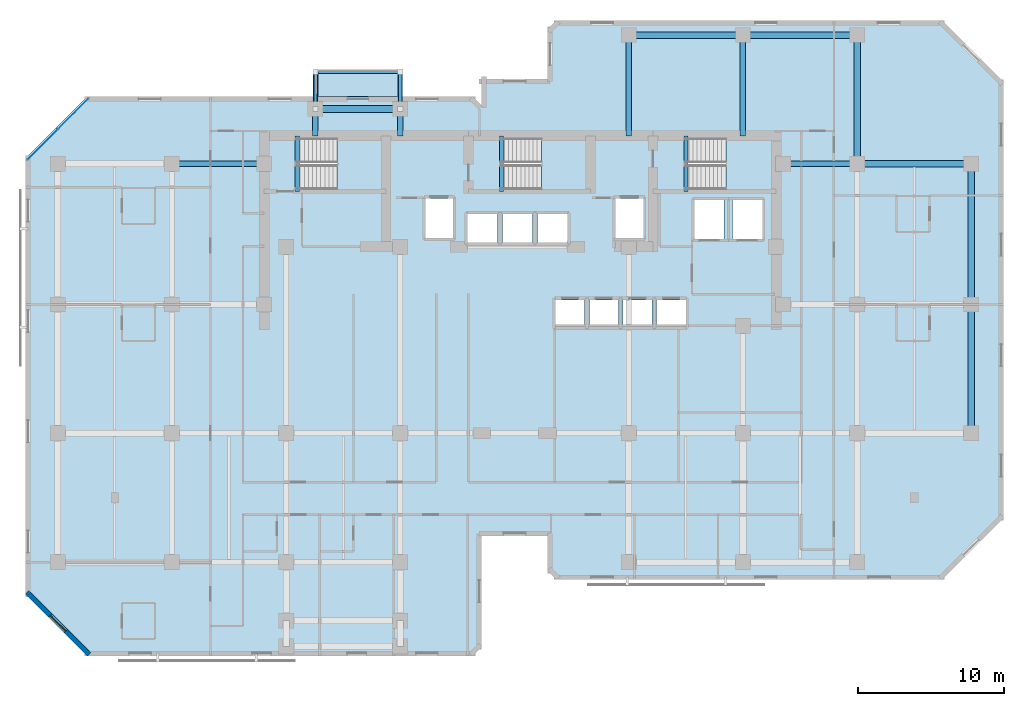
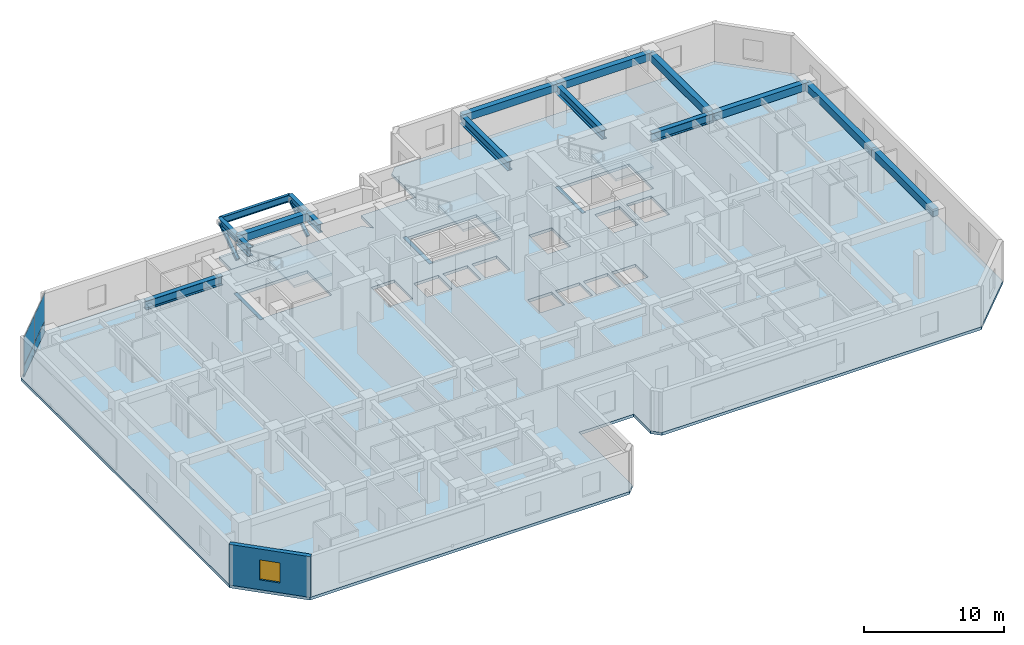
# One storey, part 3 of 10: 19 beams, 5 slabs, 4 plates, 2 members, 1 wall, 1 window, 1 opening, 4 elements without a shape of their own.
"""IFC4 building model written with IfcOpenShell, lengths in metres."""

from ifc_helpers import new_model, si_unit, direction, frame, frame_2d, origin, origin_2d, place, context, subcontext, project, spatial, polyline, rectangle, hollow_rectangle, i_section, outline, extrude, material, layer, layer_set, material_profile, profile_set, type_object, element, fill, aggregate, save


model = new_model("IFC4")

# Units and contexts
model_context = context("Model", 3, precision=1e-05, world=origin(), true_north=direction((0.0, 1.0)))
body_context = subcontext(model_context, "Body", "Model", "MODEL_VIEW")
ifc_project = project(units=[si_unit("LENGTHUNIT", "METRE"), si_unit("AREAUNIT", "SQUARE_METRE"), si_unit("VOLUMEUNIT", "CUBIC_METRE"), si_unit("PLANEANGLEUNIT", "RADIAN"), si_unit("MASSUNIT", "GRAM", prefix="KILO")], contexts=[model_context])

# Site, building, storey
site_placement = place(None, origin())
site = spatial("IfcSite", under=ifc_project, at=site_placement, CompositionType="ELEMENT")
building_placement = place(site_placement, origin())
building = spatial("IfcBuilding", under=site, at=building_placement, Name="Kestravale Grand Hotel", CompositionType="ELEMENT")
storey_placement = place(building_placement, frame((0.0, 0.0, 142.199951171875)))
storey = spatial("IfcBuildingStorey", under=building, at=storey_placement, Name="L35", CompositionType="ELEMENT", Elevation=142.199951171875)

# Beams
ifc_material_1 = material(Name="Concrete f'c 45 MPa", Category="concrete")
ifc_material_profile_1 = material_profile(ifc_material_1, rectangle(XDim=0.300048828125, YDim=0.39990234375, at=origin_2d()))
ifc_profile_set_1 = profile_set([ifc_material_profile_1], Name="Concrete f'c 45 MPa")
beam_type_1 = type_object("IfcBeamType", Name="B-FLR-LNT400", PredefinedType="LINTEL", material=ifc_profile_set_1)
for number, where, z_axis, x_axis, name in (
    (1, (24.159912109375, 36.52001953125, -0.199951171875), (0.0, 1.0, 0.0), (-1.0, 0.0, 0.0), "L35 ST1 flight bottom header beam"),
    (2, (38.110107421875, 36.52001953125, -0.199951171875), (0.0, 1.0, 0.0), (-1.0, 0.0, 0.0), "L35 ST2 flight bottom header beam"),
    (3, (50.7099609375, 36.52001953125, -0.199951171875), (0.0, 1.0, 0.0), (-1.0, 0.0, 0.0), "L35 ST3 flight bottom header beam"),
):
    element("IfcBeam", number, at=place(storey_placement, frame(where, z_axis=z_axis, x_axis=x_axis)), inside=storey, type_object=beam_type_1, Name=name, PredefinedType="LINTEL", context=body_context, shape_type="SweptSolid", body=[
        extrude(rectangle(XDim=0.300048828125, YDim=0.39990234375, at=origin_2d()), origin(), (0.0, 0.0, 1.0), 3.800048828125),
    ])
ifc_material_2 = material(Name="Concrete f'c 45 MPa", Category="concrete")
ifc_material_profile_2 = material_profile(ifc_material_2, rectangle(XDim=0.449951171875, YDim=0.64990234375, at=origin_2d()))
ifc_profile_set_2 = profile_set([ifc_material_profile_2], Name="Concrete f'c 45 MPa")
beam_type_2 = type_object("IfcBeamType", Name="B-FLR-RC650", PredefinedType="SPANDREL", material=ifc_profile_set_2)
for number, where, z_axis, x_axis, name in (
    (4, (62.39990234375, 38.39990234375, 3.22509765625), (1.0, 0.0, 0.0), (0.0, 1.0, 0.0), "L35 spandrel F:10-11"),
    (5, (46.800048828125, 47.199951171875, 3.22509765625), (1.0, 0.0, 0.0), (0.0, 1.0, 0.0), "L35 spandrel G:8-9"),
):
    element("IfcBeam", number, at=place(storey_placement, frame(where, z_axis=z_axis, x_axis=x_axis)), inside=storey, type_object=beam_type_2, Name=name, PredefinedType="SPANDREL", context=body_context, shape_type="SweptSolid", body=[
        extrude(rectangle(XDim=0.449951171875, YDim=0.64990234375, at=origin_2d()), origin(), (0.0, 0.0, 1.0), 7.800048828125),
    ])
beam_1_placement = place(storey_placement, frame((54.60009765625, 47.199951171875, 3.22509765625), z_axis=(1.0, 0.0, 0.0), x_axis=(0.0, 1.0, 0.0)))
element("IfcBeam", 6, at=beam_1_placement, inside=storey, type_object=beam_type_2, Name="L35 spandrel G:9-10", PredefinedType="SPANDREL", context=body_context, shape_type="SweptSolid", body=[
    extrude(rectangle(XDim=0.449951171875, YDim=0.64990234375, at=origin_2d()), origin(), (0.0, 0.0, 1.0), 7.7998046875),
])
beam_2_placement = place(storey_placement, frame((25.39990234375, 42.14990234375, 3.22509765625), z_axis=(1.0, 0.0, 0.0), x_axis=(0.0, 1.0, 0.0)))
element("IfcBeam", 7, at=beam_2_placement, inside=storey, type_object=beam_type_2, Name="L35 perimeter tie spandrel FN:4-5", PredefinedType="SPANDREL", context=body_context, shape_type="SweptSolid", body=[
    extrude(rectangle(XDim=0.449951171875, YDim=0.64990234375, at=origin_2d()), origin(), (0.0, 0.0, 1.0), 5.800048828125),
])
for number, where, z_axis, x_axis, name in (
    (8, (62.39990234375, 38.39990234375, 3.22509765625), (0.0, 1.0, 0.0), (-1.0, 0.0, 0.0), "L35 spandrel 10:F-G"),
    (9, (70.199951171875, 20.0, 3.22509765625), (0.0, 1.0, 0.0), (-1.0, 0.0, 0.0), "L35 spandrel 11:D-E"),
):
    element("IfcBeam", number, at=place(storey_placement, frame(where, z_axis=z_axis, x_axis=x_axis)), inside=storey, type_object=beam_type_2, Name=name, PredefinedType="SPANDREL", context=body_context, shape_type="SweptSolid", body=[
        extrude(rectangle(XDim=0.449951171875, YDim=0.64990234375, at=origin_2d()), origin(), (0.0, 0.0, 1.0), 8.800048828125),
    ])
beam_3_placement = place(storey_placement, frame((70.199951171875, 28.800048828125, 3.22509765625), z_axis=(0.0, 1.0, 0.0), x_axis=(-1.0, 0.0, 0.0)))
element("IfcBeam", 10, at=beam_3_placement, inside=storey, type_object=beam_type_2, Name="L35 spandrel 11:E-F", PredefinedType="SPANDREL", context=body_context, shape_type="SweptSolid", body=[
    extrude(rectangle(XDim=0.449951171875, YDim=0.64990234375, at=origin_2d()), origin(), (0.0, 0.0, 1.0), 9.599853515625),
])
ifc_material_3 = material(Name="Steel ASTM A992 Grade 50", Category="steel")
ifc_material_profile_3 = material_profile(ifc_material_3, i_section(OverallWidth=0.324951171875, OverallDepth=0.612060546875, WebThickness=0.0126953125, FlangeThickness=0.01904296875, FilletRadius=0.018798828125, at=origin_2d()))
ifc_profile_set_3 = profile_set([ifc_material_profile_3], Name="Steel ASTM A992 Grade 50")
beam_type_3 = type_object("IfcBeamType", Name="B-FLR-W24A", PredefinedType="SPANDREL", material=ifc_profile_set_3)
for number, where, z_axis, x_axis, name in (
    (11, (25.39990234375, 42.14990234375, 3.22412109375), (0.0, 1.0, 0.0), (-1.0, 0.0, 0.0), "L36 terrace cantilever beam 1"),
    (12, (31.199951171875, 42.14990234375, 3.22412109375), (0.0, 1.0, 0.0), (-1.0, 0.0, 0.0), "L36 terrace cantilever beam 2"),
):
    element("IfcBeam", number, at=place(storey_placement, frame(where, z_axis=z_axis, x_axis=x_axis)), inside=storey, type_object=beam_type_3, Name=name, PredefinedType="SPANDREL", context=body_context, shape_type="SweptSolid", body=[
        extrude(i_section(OverallWidth=0.324951171875, OverallDepth=0.612060546875, WebThickness=0.0126953125, FlangeThickness=0.01904296875, FilletRadius=0.018798828125, at=origin_2d()), origin(), (0.0, 0.0, 1.0), 2.550048828125),
    ])
ifc_material_4 = material(Name="Steel ASTM A992 Grade 50", Category="steel")
ifc_material_profile_4 = material_profile(ifc_material_4, i_section(OverallWidth=0.22900390625, OverallDepth=0.612060546875, WebThickness=0.011962890625, FlangeThickness=0.01953125, FilletRadius=0.019287109375, at=origin_2d()))
ifc_profile_set_4 = profile_set([ifc_material_profile_4], Name="Steel ASTM A992 Grade 50")
beam_type_4 = type_object("IfcBeamType", Name="B-FLR-W24B", PredefinedType="SPANDREL", material=ifc_profile_set_4)
beam_4_placement = place(storey_placement, frame((25.39990234375, 44.699951171875, 3.22412109375), z_axis=(1.0, 0.0, 0.0), x_axis=(0.0, 1.0, 0.0)))
element("IfcBeam", 13, at=beam_4_placement, inside=storey, type_object=beam_type_4, Name="L36 terrace edge spandrel", PredefinedType="SPANDREL", context=body_context, shape_type="SweptSolid", body=[
    extrude(i_section(OverallWidth=0.22900390625, OverallDepth=0.612060546875, WebThickness=0.011962890625, FlangeThickness=0.01953125, FilletRadius=0.019287109375, at=origin_2d()), origin(), (0.0, 0.0, 1.0), 5.800048828125),
])
ifc_material_5 = material(Name="Steel ASTM A992 Grade 50", Category="steel")
ifc_material_profile_5 = material_profile(ifc_material_5, i_section(OverallWidth=0.381103515625, OverallDepth=0.77197265625, WebThickness=0.0166015625, FlangeThickness=0.027099609375, FilletRadius=0.023681640625, at=origin_2d()))
ifc_profile_set_5 = profile_set([ifc_material_profile_5], Name="Steel ASTM A992 Grade 50")
beam_type_5 = type_object("IfcBeamType", Name="B-GRD-W30", PredefinedType="BEAM", material=ifc_profile_set_5)
beam_5_placement = place(storey_placement, frame((15.60009765625, 38.39990234375, 3.1640625), z_axis=(1.0, 0.0, 0.0), x_axis=(0.0, 1.0, 0.0)))
element("IfcBeam", 14, at=beam_5_placement, inside=storey, type_object=beam_type_5, Name="L35 girder F:3-CW", PredefinedType="BEAM", context=body_context, shape_type="SweptSolid", body=[
    extrude(i_section(OverallWidth=0.381103515625, OverallDepth=0.77197265625, WebThickness=0.0166015625, FlangeThickness=0.027099609375, FilletRadius=0.023681640625, at=origin_2d()), origin(), (0.0, 0.0, 1.0), 6.2998046875),
])
beam_6_placement = place(storey_placement, frame((57.35009765625, 38.39990234375, 3.1640625), z_axis=(1.0, 0.0, 0.0), x_axis=(0.0, 1.0, 0.0)))
element("IfcBeam", 15, at=beam_6_placement, inside=storey, type_object=beam_type_5, Name="L35 girder F:CE-10", PredefinedType="BEAM", context=body_context, shape_type="SweptSolid", body=[
    extrude(i_section(OverallWidth=0.381103515625, OverallDepth=0.77197265625, WebThickness=0.0166015625, FlangeThickness=0.027099609375, FilletRadius=0.023681640625, at=origin_2d()), origin(), (0.0, 0.0, 1.0), 5.0498046875),
])
for number, where, z_axis, x_axis, name in (
    (16, (25.39990234375, 40.320068359375, 3.1640625), (0.0, 1.0, 0.0), (-1.0, 0.0, 0.0), "L35 north wing tie girder 4:CN-FN"),
    (17, (31.199951171875, 40.320068359375, 3.1640625), (0.0, 1.0, 0.0), (-1.0, 0.0, 0.0), "L35 north wing tie girder 5:CN-FN"),
):
    element("IfcBeam", number, at=place(storey_placement, frame(where, z_axis=z_axis, x_axis=x_axis)), inside=storey, type_object=beam_type_5, Name=name, PredefinedType="BEAM", context=body_context, shape_type="SweptSolid", body=[
        extrude(i_section(OverallWidth=0.381103515625, OverallDepth=0.77197265625, WebThickness=0.0166015625, FlangeThickness=0.027099609375, FilletRadius=0.023681640625, at=origin_2d()), origin(), (0.0, 0.0, 1.0), 1.829833984375),
    ])
for number, where, z_axis, x_axis, name in (
    (18, (46.800048828125, 40.320068359375, 3.1640625), (0.0, 1.0, 0.0), (-1.0, 0.0, 0.0), "L35 north wing tie girder 8:CN-G"),
    (19, (54.60009765625, 40.320068359375, 3.1640625), (0.0, 1.0, 0.0), (-1.0, 0.0, 0.0), "L35 north wing tie girder 9:CN-G"),
):
    element("IfcBeam", number, at=place(storey_placement, frame(where, z_axis=z_axis, x_axis=x_axis)), inside=storey, type_object=beam_type_5, Name=name, PredefinedType="BEAM", context=body_context, shape_type="SweptSolid", body=[
        extrude(i_section(OverallWidth=0.381103515625, OverallDepth=0.77197265625, WebThickness=0.0166015625, FlangeThickness=0.027099609375, FilletRadius=0.023681640625, at=origin_2d()), origin(), (0.0, 0.0, 1.0), 6.8798828125),
    ])

# Members
ifc_material_6 = material(Name="Steel ASTM A500 Grade C", Category="steel")
ifc_material_profile_6 = material_profile(ifc_material_6, hollow_rectangle(XDim=0.25, YDim=0.25, WallThickness=0.011962890625, InnerFilletRadius=0.011962890625, OuterFilletRadius=0.02392578125, at=origin_2d()))
ifc_profile_set_6 = profile_set([ifc_material_profile_6], Name="Steel ASTM A500 Grade C")
member_type = type_object("IfcMemberType", Name="M-BLT-STR250", PredefinedType="STRUT", material=ifc_profile_set_6)
for number, where, z_axis, x_axis, name in (
    (20, (25.39990234375, 42.14990234375, 1.3740234375), (0.0, 0.832062549723, 0.554681812707), (-1.0, 0.0, 0.0), "L36 terrace knee-brace strut 1"),
    (21, (31.199951171875, 42.14990234375, 1.3740234375), (0.0, 0.832062549723, 0.554681812707), (-1.0, 0.0, 0.0), "L36 terrace knee-brace strut 2"),
):
    element("IfcMember", number, at=place(storey_placement, frame(where, z_axis=z_axis, x_axis=x_axis)), inside=storey, type_object=member_type, Name=name, PredefinedType="STRUT", context=body_context, shape_type="SweptSolid", body=[
        extrude(hollow_rectangle(XDim=0.25, YDim=0.25, WallThickness=0.011962890625, InnerFilletRadius=0.011962890625, OuterFilletRadius=0.02392578125, at=origin_2d()), origin(), (0.0, 0.0, 1.0), 3.064697265625),
    ])

# Curtain wall, plates
ifc_material_7 = material(Name="Thermally broken champagne-bronze aluminium and low-E glazing", Category="aluminium")
ifc_layer_1 = layer(ifc_material_7, 0.179931640625)
ifc_layer_set_1 = layer_set([ifc_layer_1], Name="CW-Z3")
curtain_wall_type = type_object("IfcCurtainWallType", Name="CW-Z3", PredefinedType="NOTDEFINED", material=ifc_layer_set_1)
curtain_wall_placement = place(storey_placement, origin())
curtain_wall = element("IfcCurtainWall", 22, at=curtain_wall_placement, inside=storey, type_object=curtain_wall_type, Name="L35 unitised curtain wall 18", PredefinedType="NOTDEFINED")
ifc_material_8 = material(Name="Insulated clear low-E double glazing IGU", Category="glass")
ifc_layer_2 = layer(ifc_material_8, 0.031982421875)
ifc_layer_set_2 = layer_set([ifc_layer_2], Name="CW-PNL-32")
plate_type = type_object("IfcPlateType", Name="CW-PNL-32", PredefinedType="CURTAIN_PANEL", material=ifc_layer_set_2)
plate_1_placement = place(storey_placement, frame((8.86572265625, 41.825439453125, 0.06494140625), z_axis=(0.0, 0.0, 1.0), x_axis=(-0.707106781187, -0.707106781187, 0.0)))
plate_1 = element("IfcPlate", 23, at=plate_1_placement, type_object=plate_type, Name="CW-Z3 panel 1.1", PredefinedType="CURTAIN_PANEL", context=body_context, shape_type="SweptSolid", body=[
    extrude(rectangle(XDim=2.892333984375, YDim=0.031982421875, at=origin_2d()), origin(), (0.0, 0.0, 1.0), 0.952392578125),
])
plate_2_placement = place(storey_placement, frame((8.86572265625, 41.825439453125, 1.08251953125), z_axis=(0.0, 0.0, 1.0), x_axis=(-0.707106781187, -0.707106781187, 0.0)))
plate_2 = element("IfcPlate", 24, at=plate_2_placement, type_object=plate_type, Name="CW-Z3 panel 1.2", PredefinedType="CURTAIN_PANEL", context=body_context, shape_type="SweptSolid", body=[
    extrude(rectangle(XDim=2.892333984375, YDim=0.031982421875, at=origin_2d()), origin(), (0.0, 0.0, 1.0), 2.402587890625),
])
plate_3_placement = place(storey_placement, frame((6.774658203125, 39.734130859375, 0.06494140625), z_axis=(0.0, 0.0, 1.0), x_axis=(-0.707106781187, -0.707106781187, 0.0)))
plate_3 = element("IfcPlate", 25, at=plate_3_placement, type_object=plate_type, Name="CW-Z3 panel 2.1", PredefinedType="CURTAIN_PANEL", context=body_context, shape_type="SweptSolid", body=[
    extrude(rectangle(XDim=2.892333984375, YDim=0.031982421875, at=origin_2d()), origin(), (0.0, 0.0, 1.0), 0.952392578125),
])
plate_4_placement = place(storey_placement, frame((6.774658203125, 39.734130859375, 1.08251953125), z_axis=(0.0, 0.0, 1.0), x_axis=(-0.707106781187, -0.707106781187, 0.0)))
plate_4 = element("IfcPlate", 26, at=plate_4_placement, type_object=plate_type, Name="CW-Z3 panel 2.2", PredefinedType="CURTAIN_PANEL", context=body_context, shape_type="SweptSolid", body=[
    extrude(rectangle(XDim=2.892333984375, YDim=0.031982421875, at=origin_2d()), origin(), (0.0, 0.0, 1.0), 2.402587890625),
])
aggregate(curtain_wall, [plate_1, plate_2, plate_3, plate_4])

# Slab
ifc_material_9 = material(Name="Concrete f'c 45 MPa", Category="concrete")
ifc_layer_3 = layer(ifc_material_9, 0.27001953125)
ifc_layer_set_3 = layer_set([ifc_layer_3], Name="ES-TERR-270")
slab_type_1 = type_object("IfcSlabType", Name="ES-TERR-270", PredefinedType="FLOOR", material=ifc_layer_set_3)
slab_1_placement = place(storey_placement, frame((0.0, 0.0, -0.27001953125)))
element("IfcSlab", 27, at=slab_1_placement, inside=storey, type_object=slab_type_1, Name="L35 spiralling planted garden terrace", PredefinedType="FLOOR", context=body_context, shape_type="SweptSolid", body=[
    extrude(outline(polyline([(25.39990234375, 43.0), (31.199951171875, 43.0), (31.199951171875, 44.85009765625), (25.39990234375, 44.85009765625), (25.39990234375, 43.0)])), origin(), (0.0, 0.0, 1.0), 0.27001953125),
])

# Stair, slab
ifc_material_10 = material(Name="Concrete f'c 45 MPa", Category="concrete")
stair_type = type_object("IfcStairType", Name="ST-CORE-380", PredefinedType="HALF_TURN_STAIR", material=ifc_material_10)
stair_1_placement = place(storey_placement, origin())
stair_1 = element("IfcStair", 28, at=stair_1_placement, inside=storey, type_object=stair_type, Name="L35 ST-1", PredefinedType="HALF_TURN_STAIR")
ifc_material_11 = material(Name="Concrete f'c 45 MPa", Category="concrete")
ifc_layer_4 = layer(ifc_material_11, 0.199951171875)
ifc_layer_set_4 = layer_set([ifc_layer_4], Name="SLB-ST-LND200")
slab_type_2 = type_object("IfcSlabType", Name="SLB-ST-LND200", PredefinedType="LANDING", material=ifc_layer_set_4)
slab_2_placement = place(storey_placement, frame((0.0, 0.0, 1.699951171875)))
slab_2 = element("IfcSlab", 29, at=slab_2_placement, type_object=slab_type_2, Name="ST-1 landing 1", PredefinedType="LANDING", context=body_context, shape_type="SweptSolid", body=[
    extrude(outline(polyline([(26.8798828125, 36.64990234375), (30.0, 36.64990234375), (30.0, 40.159912109375), (26.8798828125, 40.159912109375), (26.8798828125, 36.64990234375)])), origin(), (0.0, 0.0, 1.0), 0.2001953125),
])
aggregate(stair_1, [slab_2])

stair_2_placement = place(storey_placement, origin())
stair_2 = element("IfcStair", 30, at=stair_2_placement, inside=storey, type_object=stair_type, Name="L35 ST-2", PredefinedType="HALF_TURN_STAIR")
slab_3_placement = place(storey_placement, frame((0.0, 0.0, 1.699951171875)))
slab_3 = element("IfcSlab", 31, at=slab_3_placement, type_object=slab_type_2, Name="ST-2 landing 1", PredefinedType="LANDING", context=body_context, shape_type="SweptSolid", body=[
    extrude(outline(polyline([(40.830078125, 36.64990234375), (43.949951171875, 36.64990234375), (43.949951171875, 40.159912109375), (40.830078125, 40.159912109375), (40.830078125, 36.64990234375)])), origin(), (0.0, 0.0, 1.0), 0.2001953125),
])
aggregate(stair_2, [slab_3])

stair_3_placement = place(storey_placement, origin())
stair_3 = element("IfcStair", 32, at=stair_3_placement, inside=storey, type_object=stair_type, Name="L35 ST-3", PredefinedType="HALF_TURN_STAIR")
slab_4_placement = place(storey_placement, frame((0.0, 0.0, 1.699951171875)))
slab_4 = element("IfcSlab", 33, at=slab_4_placement, type_object=slab_type_2, Name="ST-3 landing 1", PredefinedType="LANDING", context=body_context, shape_type="SweptSolid", body=[
    extrude(outline(polyline([(53.429931640625, 36.64990234375), (56.550048828125, 36.64990234375), (56.550048828125, 40.159912109375), (53.429931640625, 40.159912109375), (53.429931640625, 36.64990234375)])), origin(), (0.0, 0.0, 1.0), 0.2001953125),
])
aggregate(stair_3, [slab_4])

# Slab
ifc_material_12 = material(Name="Concrete f'c 45 MPa", Category="concrete")
ifc_layer_5 = layer(ifc_material_12, 0.25)
ifc_layer_set_5 = layer_set([ifc_layer_5], Name="SS-FLR-250")
slab_type_3 = type_object("IfcSlabType", Name="SS-FLR-250", PredefinedType="FLOOR", material=ifc_layer_set_5)
slab_5_placement = place(storey_placement, frame((0.0, 0.0, -0.25)))
element("IfcSlab", 34, at=slab_5_placement, inside=storey, type_object=slab_type_3, Name="L35 structural floor slab", PredefinedType="FLOOR", context=body_context, shape_type="SweptSolid", body=[
    extrude(outline(polyline([(9.800048828125, 4.800048828125), (36.14990234375, 4.800048828125), (36.75, 5.39990234375), (36.75, 13.0), (41.25, 13.0), (41.25, 10.60009765625), (41.85009765625, 10.0), (68.199951171875, 10.0), (72.39990234375, 14.199951171875), (72.39990234375, 44.0), (68.199951171875, 48.199951171875), (41.85009765625, 48.199951171875), (41.25, 47.60009765625), (41.25, 44.199951171875), (36.75, 44.199951171875), (36.75, 42.39990234375), (36.14990234375, 43.0), (9.800048828125, 43.0), (5.60009765625, 38.800048828125), (5.60009765625, 9.0), (9.800048828125, 4.800048828125)]), holes=[polyline([(24.080078125, 36.64990234375), (30.0, 36.64990234375), (30.0, 40.159912109375), (24.080078125, 40.159912109375), (24.080078125, 36.64990234375)]), polyline([(38.030029296875, 36.64990234375), (43.949951171875, 36.64990234375), (43.949951171875, 40.159912109375), (38.030029296875, 40.159912109375), (38.030029296875, 36.64990234375)]), polyline([(50.6298828125, 36.64990234375), (56.550048828125, 36.64990234375), (56.550048828125, 40.159912109375), (50.6298828125, 40.159912109375), (50.6298828125, 36.64990234375)]), polyline([(41.804931640625, 27.280029296875), (43.794921875, 27.280029296875), (43.794921875, 29.1201171875), (41.804931640625, 29.1201171875), (41.804931640625, 27.280029296875)]), polyline([(44.10498046875, 27.280029296875), (46.094970703125, 27.280029296875), (46.094970703125, 29.1201171875), (44.10498046875, 29.1201171875), (44.10498046875, 27.280029296875)]), polyline([(46.405029296875, 27.280029296875), (48.39501953125, 27.280029296875), (48.39501953125, 29.1201171875), (46.405029296875, 29.1201171875), (46.405029296875, 27.280029296875)]), polyline([(48.705078125, 27.280029296875), (50.695068359375, 27.280029296875), (50.695068359375, 29.1201171875), (48.705078125, 29.1201171875), (48.705078125, 27.280029296875)]), polyline([(35.780029296875, 33.030029296875), (37.820068359375, 33.030029296875), (37.820068359375, 34.969970703125), (35.780029296875, 34.969970703125), (35.780029296875, 33.030029296875)]), polyline([(38.179931640625, 33.030029296875), (40.219970703125, 33.030029296875), (40.219970703125, 34.969970703125), (38.179931640625, 34.969970703125), (38.179931640625, 33.030029296875)]), polyline([(40.580078125, 33.030029296875), (42.6201171875, 33.030029296875), (42.6201171875, 34.969970703125), (40.580078125, 34.969970703125), (40.580078125, 33.030029296875)]), polyline([(32.905029296875, 33.35498046875), (34.794921875, 33.35498046875), (34.794921875, 36.044921875), (32.905029296875, 36.044921875), (32.905029296875, 33.35498046875)]), polyline([(45.905029296875, 33.35498046875), (47.794921875, 33.35498046875), (47.794921875, 36.044921875), (45.905029296875, 36.044921875), (45.905029296875, 33.35498046875)]), polyline([(51.280029296875, 33.280029296875), (53.320068359375, 33.280029296875), (53.320068359375, 35.919921875), (51.280029296875, 35.919921875), (51.280029296875, 33.280029296875)]), polyline([(53.8798828125, 33.280029296875), (55.919921875, 33.280029296875), (55.919921875, 35.919921875), (53.8798828125, 35.919921875), (53.8798828125, 33.280029296875)])]), origin(), (0.0, 0.0, 1.0), 0.25),
])

# Wall, opening, window
ifc_material_13 = material(Name="Precast concrete f'c 45 MPa", Category="concrete")
ifc_layer_6 = layer(ifc_material_13, 0.340087890625)
ifc_layer_set_6 = layer_set([ifc_layer_6], Name="EW-PREC-340")
wall_type = type_object("IfcWallType", Name="EW-PREC-340", PredefinedType="SOLIDWALL", material=ifc_layer_set_6)
wall_placement = place(storey_placement, frame((5.69189453125, 9.1484375, 0.0), z_axis=(0.0, 0.0, 1.0), x_axis=(0.707106781187, -0.707106781187, 0.0)))
wall = element("IfcWall", 35, at=wall_placement, inside=storey, type_object=wall_type, Name="L35 fluted precast facade wall 20", PredefinedType="SOLIDWALL", context=body_context, shape_type="SweptSolid", body=[
    extrude(rectangle(XDim=6.019775390625, YDim=0.340087890625, at=frame_2d((3.009765625, 0.0))), origin(), (0.0, 0.0, 1.0), 3.550048828125),
])
opening_placement = place(wall_placement, frame((2.260009765625, 0.0, 0.85009765625)))
opening = element("IfcOpeningElement", 36, at=opening_placement, cuts=wall, Name="Opening W-GUEST-1500", PredefinedType="OPENING", context=body_context, shape_type="SweptSolid", body=[
    extrude(rectangle(XDim=1.5, YDim=1.75, at=frame_2d((0.75, 0.875))), frame((0.0, 0.179931640625, 0.0), z_axis=(0.0, -1.0, 0.0), x_axis=(1.0, 0.0, 0.0)), (0.0, 0.0, 1.0), 0.360107421875),
])
ifc_material_14 = material(Name="Insulated low-E double glazing in aluminium frame", Category="aluminium")
window_type = type_object("IfcWindowType", Name="W-GUEST-1500", PartitioningType="SINGLE_PANEL", PredefinedType="WINDOW", material=ifc_material_14)
window_placement = place(opening_placement, origin())
window = element("IfcWindow", 37, at=window_placement, inside=storey, type_object=window_type, Name="L35 exterior window 20.1", OverallHeight=1.75, OverallWidth=1.5, PartitioningType="SINGLE_PANEL", PredefinedType="WINDOW", context=body_context, shape_type="SweptSolid", body=[
    extrude(rectangle(XDim=1.5, YDim=1.75, at=frame_2d((0.75, 0.875))), frame((0.0, 0.030029296875, 0.0), z_axis=(0.0, -1.0, 0.0), x_axis=(1.0, 0.0, 0.0)), (0.0, 0.0, 1.0), 0.06005859375),
])
fill(opening, window)

save(model, "model.ifc")
